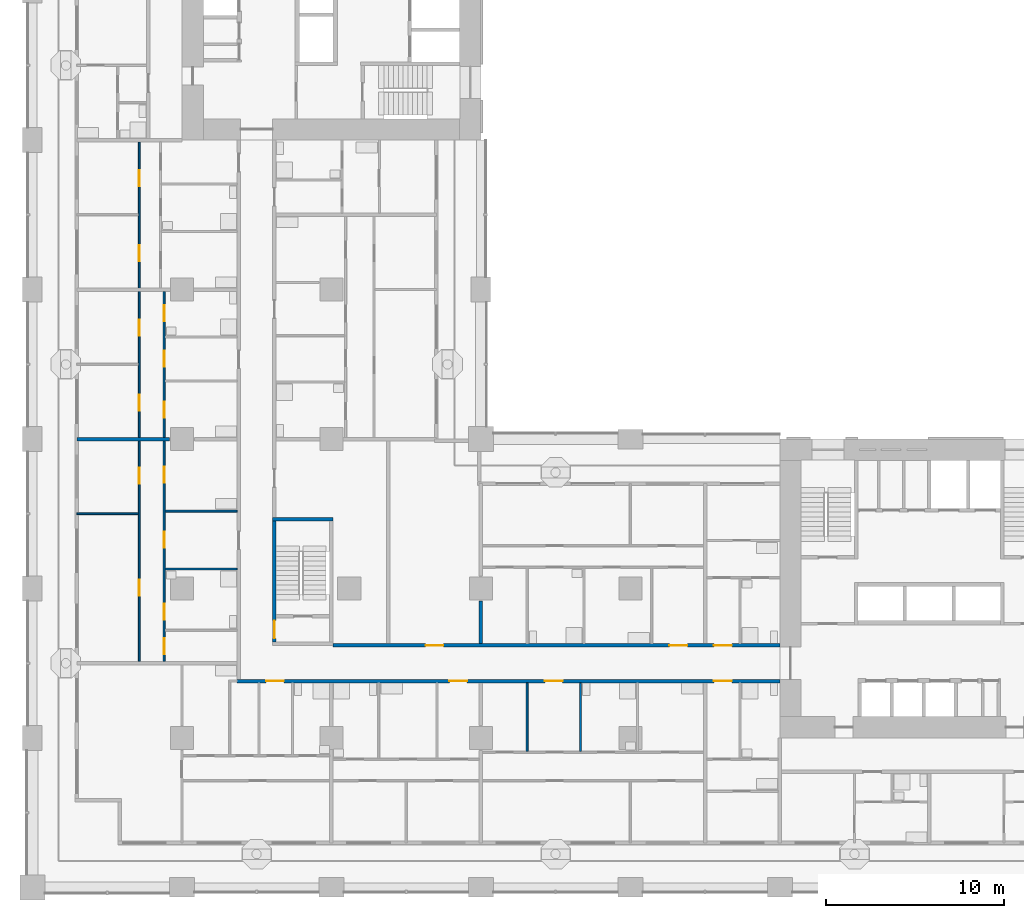
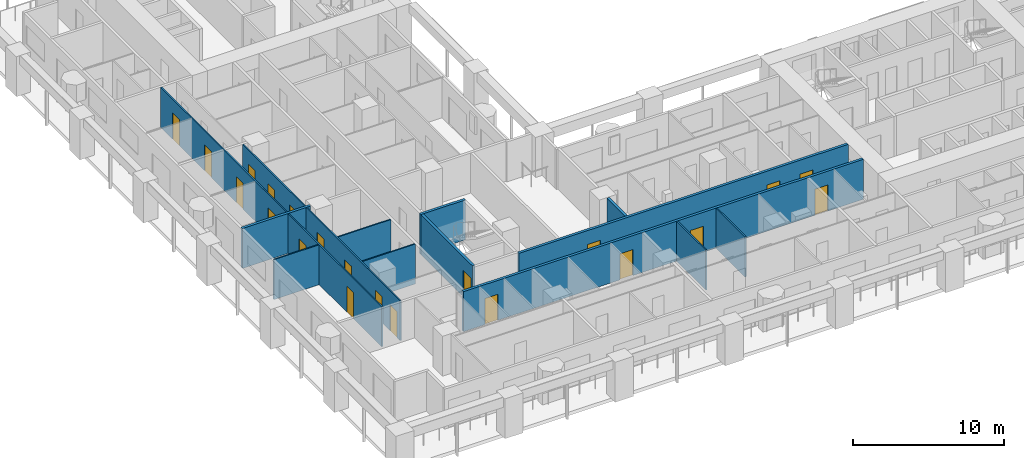
# One storey, part 3 of 22: 21 doors, 13 walls, 21 openings.
"""IFC4 building model written with IfcOpenShell, lengths in metres."""

from ifc_helpers import new_model, si_unit, direction, frame, frame_2d, origin, place, context, subcontext, project, spatial, rectangle, extrude, material, layer, layer_set, type_object, element, fill, save


model = new_model("IFC4")

# Units and contexts
model_context = context("Model", 3, precision=1e-05, world=origin(), true_north=direction((0.0, 1.0)))
body_context = subcontext(model_context, "Body", "Model", "MODEL_VIEW")
ifc_project = project(units=[si_unit("LENGTHUNIT", "METRE"), si_unit("AREAUNIT", "SQUARE_METRE"), si_unit("VOLUMEUNIT", "CUBIC_METRE"), si_unit("PLANEANGLEUNIT", "RADIAN"), si_unit("MASSUNIT", "GRAM", prefix="KILO")], contexts=[model_context])

# Site, building, storey
site_placement = place(None, origin())
site = spatial("IfcSite", under=ifc_project, at=site_placement, CompositionType="ELEMENT")
building_placement = place(site_placement, origin())
building = spatial("IfcBuilding", under=site, at=building_placement, Name="Vermilion Gate Residences", CompositionType="ELEMENT")
storey_placement = place(building_placement, frame((0.0, 0.0, 56.699951171875)))
storey = spatial("IfcBuildingStorey", under=building, at=storey_placement, Name="L13", CompositionType="ELEMENT", Elevation=56.699951171875)

# Walls
ifc_material_1 = material(Name="Plasterboard on steel studs", Category="steel")
ifc_layer_1 = layer(ifc_material_1, 0.10009765625)
ifc_layer_set_1 = layer_set([ifc_layer_1], Name="PARTITION 100")
wall_type_1 = type_object("IfcWallType", Name="PARTITION 100", PredefinedType="PARTITIONING", material=ifc_layer_set_1)
wall_1_placement = place(storey_placement, frame((7.449951171875, 17.89990234375, 0.0), z_axis=(0.0, 0.0, 1.0), x_axis=(1.0, 0.0, 0.0)))
element("IfcWall", 1, at=wall_1_placement, inside=storey, type_object=wall_type_1, Name="Partition", PredefinedType="PARTITIONING", context=body_context, shape_type="SweptSolid", body=[
    extrude(rectangle(XDim=4.050048828125, YDim=0.10009765625, at=frame_2d((2.02490234375, 0.0))), origin(), (0.0, 0.0, 1.0), 3.219970703125),
])
wall_2_placement = place(storey_placement, frame((2.5, 21.0, 0.0), z_axis=(0.0, 0.0, 1.0), x_axis=(1.0, 0.0, 0.0)))
element("IfcWall", 2, at=wall_2_placement, inside=storey, type_object=wall_type_1, Name="Partition", PredefinedType="PARTITIONING", context=body_context, shape_type="SweptSolid", body=[
    extrude(rectangle(XDim=3.449951171875, YDim=0.10009765625, at=frame_2d((1.72509765625, 0.0))), origin(), (0.0, 0.0, 1.0), 3.219970703125),
])
wall_3_placement = place(storey_placement, frame((7.449951171875, 21.14990234375, 0.0), z_axis=(0.0, 0.0, 1.0), x_axis=(1.0, 0.0, 0.0)))
element("IfcWall", 3, at=wall_3_placement, inside=storey, type_object=wall_type_1, Name="Partition", PredefinedType="PARTITIONING", context=body_context, shape_type="SweptSolid", body=[
    extrude(rectangle(XDim=4.050048828125, YDim=0.10009765625, at=frame_2d((2.02490234375, 0.0))), origin(), (0.0, 0.0, 1.0), 3.219970703125),
])

# Wall, openings, doors
wall_4_placement = place(storey_placement, frame((6.0, 12.699951171875, 0.0), z_axis=(0.0, 0.0, 1.0), x_axis=(0.0, 1.0, 0.0)))
wall_4 = element("IfcWall", 4, at=wall_4_placement, inside=storey, type_object=wall_type_1, Name="Partition", PredefinedType="PARTITIONING", context=body_context, shape_type="SweptSolid", body=[
    extrude(rectangle(XDim=29.199951171875, YDim=0.10009765625, at=frame_2d((14.60009765625, 0.0))), origin(), (0.0, 0.0, 1.0), 3.219970703125),
])
opening_1_placement = place(wall_4_placement, frame((3.699951171875, 0.0, 0.0)))
opening_1 = element("IfcOpeningElement", 5, at=opening_1_placement, cuts=wall_4, Name="Opening DA13047", PredefinedType="OPENING", context=body_context, shape_type="SweptSolid", body=[
    extrude(rectangle(XDim=0.89990234375, YDim=2.10009765625, at=frame_2d((0.449951171875, 1.050048828125))), frame((0.0, 0.06005859375, 0.0), z_axis=(0.0, -1.0, 0.0), x_axis=(1.0, 0.0, 0.0)), (0.0, 0.0, 1.0), 0.1201171875),
])
opening_2_placement = place(wall_4_placement, frame((10.0, 0.0, 0.0)))
opening_2 = element("IfcOpeningElement", 6, at=opening_2_placement, cuts=wall_4, Name="Opening DA13048", PredefinedType="OPENING", context=body_context, shape_type="SweptSolid", body=[
    extrude(rectangle(XDim=0.89990234375, YDim=2.10009765625, at=frame_2d((0.449951171875, 1.050048828125))), frame((0.0, 0.06005859375, 0.0), z_axis=(0.0, -1.0, 0.0), x_axis=(1.0, 0.0, 0.0)), (0.0, 0.0, 1.0), 0.1201171875),
])
opening_3_placement = place(wall_4_placement, frame((14.10009765625, 0.0, 0.0)))
opening_3 = element("IfcOpeningElement", 7, at=opening_3_placement, cuts=wall_4, Name="Opening DA13049", PredefinedType="OPENING", context=body_context, shape_type="SweptSolid", body=[
    extrude(rectangle(XDim=0.89990234375, YDim=2.10009765625, at=frame_2d((0.449951171875, 1.050048828125))), frame((0.0, 0.06005859375, 0.0), z_axis=(0.0, -1.0, 0.0), x_axis=(1.0, 0.0, 0.0)), (0.0, 0.0, 1.0), 0.1201171875),
])
opening_4_placement = place(wall_4_placement, frame((18.300048828125, 0.0, 0.0)))
opening_4 = element("IfcOpeningElement", 8, at=opening_4_placement, cuts=wall_4, Name="Opening DA13050", PredefinedType="OPENING", context=body_context, shape_type="SweptSolid", body=[
    extrude(rectangle(XDim=0.89990234375, YDim=2.10009765625, at=frame_2d((0.449951171875, 1.050048828125))), frame((0.0, 0.06005859375, 0.0), z_axis=(0.0, -1.0, 0.0), x_axis=(1.0, 0.0, 0.0)), (0.0, 0.0, 1.0), 0.1201171875),
])
opening_5_placement = place(wall_4_placement, frame((22.5, 0.0, 0.0)))
opening_5 = element("IfcOpeningElement", 9, at=opening_5_placement, cuts=wall_4, Name="Opening DA13051", PredefinedType="OPENING", context=body_context, shape_type="SweptSolid", body=[
    extrude(rectangle(XDim=0.89990234375, YDim=2.10009765625, at=frame_2d((0.449951171875, 1.050048828125))), frame((0.0, 0.06005859375, 0.0), z_axis=(0.0, -1.0, 0.0), x_axis=(1.0, 0.0, 0.0)), (0.0, 0.0, 1.0), 0.1201171875),
])
opening_6_placement = place(wall_4_placement, frame((26.699951171875, 0.0, 0.0)))
opening_6 = element("IfcOpeningElement", 10, at=opening_6_placement, cuts=wall_4, Name="Opening DA13052", PredefinedType="OPENING", context=body_context, shape_type="SweptSolid", body=[
    extrude(rectangle(XDim=0.89990234375, YDim=2.10009765625, at=frame_2d((0.449951171875, 1.050048828125))), frame((0.0, 0.06005859375, 0.0), z_axis=(0.0, -1.0, 0.0), x_axis=(1.0, 0.0, 0.0)), (0.0, 0.0, 1.0), 0.1201171875),
])
ifc_material_2 = material(Name="Timber", Category="wood")
door_type_1 = type_object("IfcDoorType", Name="INTERIOR DOOR 900 X 2100", OperationType="SINGLE_SWING_LEFT", PredefinedType="DOOR", material=ifc_material_2)
door_1_placement = place(opening_1_placement, origin())
door_1 = element("IfcDoor", 11, at=door_1_placement, inside=storey, type_object=door_type_1, Name="Interior door", OperationType="SINGLE_SWING_LEFT", OverallHeight=2.10009765625, OverallWidth=0.89990234375, PredefinedType="DOOR", context=body_context, shape_type="SweptSolid", body=[
    extrude(rectangle(XDim=0.89990234375, YDim=2.10009765625, at=frame_2d((0.449951171875, 1.050048828125))), frame((0.0, 0.02490234375, 0.0), z_axis=(0.0, -1.0, 0.0), x_axis=(1.0, 0.0, 0.0)), (0.0, 0.0, 1.0), 0.050048828125),
])
fill(opening_1, door_1)
door_2_placement = place(opening_2_placement, origin())
door_2 = element("IfcDoor", 12, at=door_2_placement, inside=storey, type_object=door_type_1, Name="Interior door", OperationType="SINGLE_SWING_RIGHT", OverallHeight=2.10009765625, OverallWidth=0.89990234375, PredefinedType="DOOR", context=body_context, shape_type="SweptSolid", body=[
    extrude(rectangle(XDim=0.89990234375, YDim=2.10009765625, at=frame_2d((0.449951171875, 1.050048828125))), frame((0.0, 0.02490234375, 0.0), z_axis=(0.0, -1.0, 0.0), x_axis=(1.0, 0.0, 0.0)), (0.0, 0.0, 1.0), 0.050048828125),
])
fill(opening_2, door_2)
door_3_placement = place(opening_3_placement, origin())
door_3 = element("IfcDoor", 13, at=door_3_placement, inside=storey, type_object=door_type_1, Name="Interior door", OperationType="SINGLE_SWING_LEFT", OverallHeight=2.10009765625, OverallWidth=0.89990234375, PredefinedType="DOOR", context=body_context, shape_type="SweptSolid", body=[
    extrude(rectangle(XDim=0.89990234375, YDim=2.10009765625, at=frame_2d((0.449951171875, 1.050048828125))), frame((0.0, 0.02490234375, 0.0), z_axis=(0.0, -1.0, 0.0), x_axis=(1.0, 0.0, 0.0)), (0.0, 0.0, 1.0), 0.050048828125),
])
fill(opening_3, door_3)
door_4_placement = place(opening_4_placement, origin())
door_4 = element("IfcDoor", 14, at=door_4_placement, inside=storey, type_object=door_type_1, Name="Interior door", OperationType="SINGLE_SWING_LEFT", OverallHeight=2.10009765625, OverallWidth=0.89990234375, PredefinedType="DOOR", context=body_context, shape_type="SweptSolid", body=[
    extrude(rectangle(XDim=0.89990234375, YDim=2.10009765625, at=frame_2d((0.449951171875, 1.050048828125))), frame((0.0, 0.02490234375, 0.0), z_axis=(0.0, -1.0, 0.0), x_axis=(1.0, 0.0, 0.0)), (0.0, 0.0, 1.0), 0.050048828125),
])
fill(opening_4, door_4)
door_5_placement = place(opening_5_placement, origin())
door_5 = element("IfcDoor", 15, at=door_5_placement, inside=storey, type_object=door_type_1, Name="Interior door", OperationType="SINGLE_SWING_LEFT", OverallHeight=2.10009765625, OverallWidth=0.89990234375, PredefinedType="DOOR", context=body_context, shape_type="SweptSolid", body=[
    extrude(rectangle(XDim=0.89990234375, YDim=2.10009765625, at=frame_2d((0.449951171875, 1.050048828125))), frame((0.0, 0.02490234375, 0.0), z_axis=(0.0, -1.0, 0.0), x_axis=(1.0, 0.0, 0.0)), (0.0, 0.0, 1.0), 0.050048828125),
])
fill(opening_5, door_5)
door_6_placement = place(opening_6_placement, origin())
door_6 = element("IfcDoor", 16, at=door_6_placement, inside=storey, type_object=door_type_1, Name="Interior door", OperationType="SINGLE_SWING_LEFT", OverallHeight=2.10009765625, OverallWidth=0.89990234375, PredefinedType="DOOR", context=body_context, shape_type="SweptSolid", body=[
    extrude(rectangle(XDim=0.89990234375, YDim=2.10009765625, at=frame_2d((0.449951171875, 1.050048828125))), frame((0.0, 0.02490234375, 0.0), z_axis=(0.0, -1.0, 0.0), x_axis=(1.0, 0.0, 0.0)), (0.0, 0.0, 1.0), 0.050048828125),
])
fill(opening_6, door_6)

wall_5_placement = place(storey_placement, frame((7.39990234375, 12.699951171875, 0.0), z_axis=(0.0, 0.0, 1.0), x_axis=(0.0, 1.0, 0.0)))
wall_5 = element("IfcWall", 17, at=wall_5_placement, inside=storey, type_object=wall_type_1, Name="Partition", PredefinedType="PARTITIONING", context=body_context, shape_type="SweptSolid", body=[
    extrude(rectangle(XDim=20.800048828125, YDim=0.10009765625, at=frame_2d((10.39990234375, 0.0))), origin(), (0.0, 0.0, 1.0), 3.219970703125),
])
opening_7_placement = place(wall_5_placement, frame((6.39990234375, 0.0, 0.0)))
opening_7 = element("IfcOpeningElement", 18, at=opening_7_placement, cuts=wall_5, Name="Opening DA13058", PredefinedType="OPENING", context=body_context, shape_type="SweptSolid", body=[
    extrude(rectangle(XDim=0.89990234375, YDim=2.10009765625, at=frame_2d((0.449951171875, 1.050048828125))), frame((0.0, 0.06005859375, 0.0), z_axis=(0.0, -1.0, 0.0), x_axis=(1.0, 0.0, 0.0)), (0.0, 0.0, 1.0), 0.1201171875),
])
opening_8_placement = place(wall_5_placement, frame((0.39990234375, 0.0, 0.0)))
opening_8 = element("IfcOpeningElement", 19, at=opening_8_placement, cuts=wall_5, Name="Opening DA13059", PredefinedType="OPENING", context=body_context, shape_type="SweptSolid", body=[
    extrude(rectangle(XDim=0.89990234375, YDim=2.10009765625, at=frame_2d((0.449951171875, 1.050048828125))), frame((0.0, 0.06005859375, 0.0), z_axis=(0.0, -1.0, 0.0), x_axis=(1.0, 0.0, 0.0)), (0.0, 0.0, 1.0), 0.1201171875),
])
opening_9_placement = place(wall_5_placement, frame((2.35009765625, 0.0, 0.0)))
opening_9 = element("IfcOpeningElement", 20, at=opening_9_placement, cuts=wall_5, Name="Opening DA13060", PredefinedType="OPENING", context=body_context, shape_type="SweptSolid", body=[
    extrude(rectangle(XDim=0.89990234375, YDim=2.10009765625, at=frame_2d((0.449951171875, 1.050048828125))), frame((0.0, 0.06005859375, 0.0), z_axis=(0.0, -1.0, 0.0), x_axis=(1.0, 0.0, 0.0)), (0.0, 0.0, 1.0), 0.1201171875),
])
opening_10_placement = place(wall_5_placement, frame((10.050048828125, 0.0, 0.0)))
opening_10 = element("IfcOpeningElement", 21, at=opening_10_placement, cuts=wall_5, Name="Opening DA13061", PredefinedType="OPENING", context=body_context, shape_type="SweptSolid", body=[
    extrude(rectangle(XDim=0.89990234375, YDim=2.10009765625, at=frame_2d((0.449951171875, 1.050048828125))), frame((0.0, 0.06005859375, 0.0), z_axis=(0.0, -1.0, 0.0), x_axis=(1.0, 0.0, 0.0)), (0.0, 0.0, 1.0), 0.1201171875),
])
opening_11_placement = place(wall_5_placement, frame((16.56689453125, 0.0, 0.0)))
opening_11 = element("IfcOpeningElement", 22, at=opening_11_placement, cuts=wall_5, Name="Opening DA13062", PredefinedType="OPENING", context=body_context, shape_type="SweptSolid", body=[
    extrude(rectangle(XDim=0.89990234375, YDim=2.10009765625, at=frame_2d((0.449951171875, 1.050048828125))), frame((0.0, 0.06005859375, 0.0), z_axis=(0.0, -1.0, 0.0), x_axis=(1.0, 0.0, 0.0)), (0.0, 0.0, 1.0), 0.1201171875),
])
opening_12_placement = place(wall_5_placement, frame((13.699951171875, 0.0, 0.0)))
opening_12 = element("IfcOpeningElement", 23, at=opening_12_placement, cuts=wall_5, Name="Opening DA13063", PredefinedType="OPENING", context=body_context, shape_type="SweptSolid", body=[
    extrude(rectangle(XDim=0.89990234375, YDim=2.10009765625, at=frame_2d((0.449951171875, 1.050048828125))), frame((0.0, 0.06005859375, 0.0), z_axis=(0.0, -1.0, 0.0), x_axis=(1.0, 0.0, 0.0)), (0.0, 0.0, 1.0), 0.1201171875),
])
opening_13_placement = place(wall_5_placement, frame((19.133056640625, 0.0, 0.0)))
opening_13 = element("IfcOpeningElement", 24, at=opening_13_placement, cuts=wall_5, Name="Opening DA13064", PredefinedType="OPENING", context=body_context, shape_type="SweptSolid", body=[
    extrude(rectangle(XDim=0.89990234375, YDim=2.10009765625, at=frame_2d((0.449951171875, 1.050048828125))), frame((0.0, 0.06005859375, 0.0), z_axis=(0.0, -1.0, 0.0), x_axis=(1.0, 0.0, 0.0)), (0.0, 0.0, 1.0), 0.1201171875),
])
door_7_placement = place(opening_7_placement, frame((0.89990234375, 0.0, 0.0), z_axis=(0.0, 0.0, 1.0), x_axis=(-1.0, 0.0, 0.0)))
door_7 = element("IfcDoor", 25, at=door_7_placement, inside=storey, type_object=door_type_1, Name="Interior door", OperationType="SINGLE_SWING_LEFT", OverallHeight=2.10009765625, OverallWidth=0.89990234375, PredefinedType="DOOR", context=body_context, shape_type="SweptSolid", body=[
    extrude(rectangle(XDim=0.89990234375, YDim=2.10009765625, at=frame_2d((0.449951171875, 1.050048828125))), frame((0.0, 0.02490234375, 0.0), z_axis=(0.0, -1.0, 0.0), x_axis=(1.0, 0.0, 0.0)), (0.0, 0.0, 1.0), 0.050048828125),
])
fill(opening_7, door_7)
door_8_placement = place(opening_8_placement, frame((0.89990234375, 0.0, 0.0), z_axis=(0.0, 0.0, 1.0), x_axis=(-1.0, 0.0, 0.0)))
door_8 = element("IfcDoor", 26, at=door_8_placement, inside=storey, type_object=door_type_1, Name="Interior door", OperationType="SINGLE_SWING_LEFT", OverallHeight=2.10009765625, OverallWidth=0.89990234375, PredefinedType="DOOR", context=body_context, shape_type="SweptSolid", body=[
    extrude(rectangle(XDim=0.89990234375, YDim=2.10009765625, at=frame_2d((0.449951171875, 1.050048828125))), frame((0.0, 0.02490234375, 0.0), z_axis=(0.0, -1.0, 0.0), x_axis=(1.0, 0.0, 0.0)), (0.0, 0.0, 1.0), 0.050048828125),
])
fill(opening_8, door_8)
door_9_placement = place(opening_9_placement, frame((0.89990234375, 0.0, 0.0), z_axis=(0.0, 0.0, 1.0), x_axis=(-1.0, 0.0, 0.0)))
door_9 = element("IfcDoor", 27, at=door_9_placement, inside=storey, type_object=door_type_1, Name="Interior door", OperationType="SINGLE_SWING_RIGHT", OverallHeight=2.10009765625, OverallWidth=0.89990234375, PredefinedType="DOOR", context=body_context, shape_type="SweptSolid", body=[
    extrude(rectangle(XDim=0.89990234375, YDim=2.10009765625, at=frame_2d((0.449951171875, 1.050048828125))), frame((0.0, 0.02490234375, 0.0), z_axis=(0.0, -1.0, 0.0), x_axis=(1.0, 0.0, 0.0)), (0.0, 0.0, 1.0), 0.050048828125),
])
fill(opening_9, door_9)
door_10_placement = place(opening_10_placement, frame((0.89990234375, 0.0, 0.0), z_axis=(0.0, 0.0, 1.0), x_axis=(-1.0, 0.0, 0.0)))
door_10 = element("IfcDoor", 28, at=door_10_placement, inside=storey, type_object=door_type_1, Name="Interior door", OperationType="SINGLE_SWING_LEFT", OverallHeight=2.10009765625, OverallWidth=0.89990234375, PredefinedType="DOOR", context=body_context, shape_type="SweptSolid", body=[
    extrude(rectangle(XDim=0.89990234375, YDim=2.10009765625, at=frame_2d((0.449951171875, 1.050048828125))), frame((0.0, 0.02490234375, 0.0), z_axis=(0.0, -1.0, 0.0), x_axis=(1.0, 0.0, 0.0)), (0.0, 0.0, 1.0), 0.050048828125),
])
fill(opening_10, door_10)
door_11_placement = place(opening_11_placement, frame((0.89990234375, 0.0, 0.0), z_axis=(0.0, 0.0, 1.0), x_axis=(-1.0, 0.0, 0.0)))
door_11 = element("IfcDoor", 29, at=door_11_placement, inside=storey, type_object=door_type_1, Name="Interior door", OperationType="SINGLE_SWING_LEFT", OverallHeight=2.10009765625, OverallWidth=0.89990234375, PredefinedType="DOOR", context=body_context, shape_type="SweptSolid", body=[
    extrude(rectangle(XDim=0.89990234375, YDim=2.10009765625, at=frame_2d((0.449951171875, 1.050048828125))), frame((0.0, 0.02490234375, 0.0), z_axis=(0.0, -1.0, 0.0), x_axis=(1.0, 0.0, 0.0)), (0.0, 0.0, 1.0), 0.050048828125),
])
fill(opening_11, door_11)
door_12_placement = place(opening_12_placement, frame((0.89990234375, 0.0, 0.0), z_axis=(0.0, 0.0, 1.0), x_axis=(-1.0, 0.0, 0.0)))
door_12 = element("IfcDoor", 30, at=door_12_placement, inside=storey, type_object=door_type_1, Name="Interior door", OperationType="SINGLE_SWING_RIGHT", OverallHeight=2.10009765625, OverallWidth=0.89990234375, PredefinedType="DOOR", context=body_context, shape_type="SweptSolid", body=[
    extrude(rectangle(XDim=0.89990234375, YDim=2.10009765625, at=frame_2d((0.449951171875, 1.050048828125))), frame((0.0, 0.02490234375, 0.0), z_axis=(0.0, -1.0, 0.0), x_axis=(1.0, 0.0, 0.0)), (0.0, 0.0, 1.0), 0.050048828125),
])
fill(opening_12, door_12)
door_13_placement = place(opening_13_placement, frame((0.89990234375, 0.0, 0.0), z_axis=(0.0, 0.0, 1.0), x_axis=(-1.0, 0.0, 0.0)))
door_13 = element("IfcDoor", 31, at=door_13_placement, inside=storey, type_object=door_type_1, Name="Interior door", OperationType="SINGLE_SWING_RIGHT", OverallHeight=2.10009765625, OverallWidth=0.89990234375, PredefinedType="DOOR", context=body_context, shape_type="SweptSolid", body=[
    extrude(rectangle(XDim=0.89990234375, YDim=2.10009765625, at=frame_2d((0.449951171875, 1.050048828125))), frame((0.0, 0.02490234375, 0.0), z_axis=(0.0, -1.0, 0.0), x_axis=(1.0, 0.0, 0.0)), (0.0, 0.0, 1.0), 0.050048828125),
])
fill(opening_13, door_13)

# Walls
for number, where, z_axis, x_axis, name in (
    (32, (27.800048828125, 7.64990234375, 0.0), (0.0, 0.0, 1.0), (0.0, 1.0, 0.0), "Partition"),
    (33, (30.800048828125, 7.64990234375, 0.0), (0.0, 0.0, 1.0), (0.0, 1.0, 0.0), "Partition"),
):
    element("IfcWall", number, at=place(storey_placement, frame(where, z_axis=z_axis, x_axis=x_axis)), inside=storey, type_object=wall_type_1, Name=name, PredefinedType="PARTITIONING", context=body_context, shape_type="SweptSolid", body=[
        extrude(rectangle(XDim=3.85009765625, YDim=0.10009765625, at=frame_2d((1.925048828125, 0.0))), origin(), (0.0, 0.0, 1.0), 3.219970703125),
    ])

# Wall, openings, doors
ifc_material_3 = material(Name="Fire-rated plasterboard on steel studs", Category="steel")
ifc_layer_2 = layer(ifc_material_3, 0.199951171875)
ifc_layer_set_2 = layer_set([ifc_layer_2], Name="PARTY WALL 200 EI 120")
wall_type_2 = type_object("IfcWallType", Name="PARTY WALL 200 EI 120", PredefinedType="PARTITIONING", material=ifc_layer_set_2)
wall_6_placement = place(storey_placement, frame((11.5, 11.60009765625, 0.0), z_axis=(0.0, 0.0, 1.0), x_axis=(1.0, 0.0, 0.0)))
wall_6 = element("IfcWall", 34, at=wall_6_placement, inside=storey, type_object=wall_type_2, Name="Party and corridor wall", PredefinedType="PARTITIONING", context=body_context, shape_type="SweptSolid", body=[
    extrude(rectangle(XDim=30.5, YDim=0.199951171875, at=frame_2d((15.25, 0.0))), origin(), (0.0, 0.0, 1.0), 3.219970703125),
])
opening_14_placement = place(wall_6_placement, frame((1.6259765625, 0.0, 0.0)))
opening_14 = element("IfcOpeningElement", 35, at=opening_14_placement, cuts=wall_6, Name="Opening DA13027", PredefinedType="OPENING", context=body_context, shape_type="SweptSolid", body=[
    extrude(rectangle(XDim=1.0, YDim=2.10009765625, at=frame_2d((0.5, 1.050048828125))), frame((0.0, 0.10986328125, 0.0), z_axis=(0.0, -1.0, 0.0), x_axis=(1.0, 0.0, 0.0)), (0.0, 0.0, 1.0), 0.219970703125),
])
opening_15_placement = place(wall_6_placement, frame((11.93310546875, 0.0, 0.0)))
opening_15 = element("IfcOpeningElement", 36, at=opening_15_placement, cuts=wall_6, Name="Opening DA13028", PredefinedType="OPENING", context=body_context, shape_type="SweptSolid", body=[
    extrude(rectangle(XDim=1.0, YDim=2.10009765625, at=frame_2d((0.5, 1.050048828125))), frame((0.0, 0.10986328125, 0.0), z_axis=(0.0, -1.0, 0.0), x_axis=(1.0, 0.0, 0.0)), (0.0, 0.0, 1.0), 0.219970703125),
])
opening_16_placement = place(wall_6_placement, frame((17.300048828125, 0.0, 0.0)))
opening_16 = element("IfcOpeningElement", 37, at=opening_16_placement, cuts=wall_6, Name="Opening DA13029", PredefinedType="OPENING", context=body_context, shape_type="SweptSolid", body=[
    extrude(rectangle(XDim=1.0, YDim=2.10009765625, at=frame_2d((0.5, 1.050048828125))), frame((0.0, 0.10986328125, 0.0), z_axis=(0.0, -1.0, 0.0), x_axis=(1.0, 0.0, 0.0)), (0.0, 0.0, 1.0), 0.219970703125),
])
opening_17_placement = place(wall_6_placement, frame((26.800048828125, 0.0, 0.0)))
opening_17 = element("IfcOpeningElement", 38, at=opening_17_placement, cuts=wall_6, Name="Opening DA13030", PredefinedType="OPENING", context=body_context, shape_type="SweptSolid", body=[
    extrude(rectangle(XDim=1.0, YDim=2.10009765625, at=frame_2d((0.5, 1.050048828125))), frame((0.0, 0.10986328125, 0.0), z_axis=(0.0, -1.0, 0.0), x_axis=(1.0, 0.0, 0.0)), (0.0, 0.0, 1.0), 0.219970703125),
])
ifc_material_4 = material(Name="Steel", Category="steel")
door_type_2 = type_object("IfcDoorType", Name="ENTRANCE DOOR 1000 X 2100 FD30", OperationType="SINGLE_SWING_LEFT", PredefinedType="DOOR", material=ifc_material_4)
door_14_placement = place(opening_14_placement, frame((1.0, 0.0, 0.0), z_axis=(0.0, 0.0, 1.0), x_axis=(-1.0, 0.0, 0.0)))
door_14 = element("IfcDoor", 39, at=door_14_placement, inside=storey, type_object=door_type_2, Name="Entrance door", OperationType="SINGLE_SWING_RIGHT", OverallHeight=2.10009765625, OverallWidth=1.0, PredefinedType="DOOR", context=body_context, shape_type="SweptSolid", body=[
    extrude(rectangle(XDim=1.0, YDim=2.10009765625, at=frame_2d((0.5, 1.050048828125))), frame((0.0, 0.02490234375, 0.0), z_axis=(0.0, -1.0, 0.0), x_axis=(1.0, 0.0, 0.0)), (0.0, 0.0, 1.0), 0.050048828125),
])
fill(opening_14, door_14)
door_15_placement = place(opening_15_placement, frame((1.0, 0.0, 0.0), z_axis=(0.0, 0.0, 1.0), x_axis=(-1.0, 0.0, 0.0)))
door_15 = element("IfcDoor", 40, at=door_15_placement, inside=storey, type_object=door_type_2, Name="Entrance door", OperationType="SINGLE_SWING_RIGHT", OverallHeight=2.10009765625, OverallWidth=1.0, PredefinedType="DOOR", context=body_context, shape_type="SweptSolid", body=[
    extrude(rectangle(XDim=1.0, YDim=2.10009765625, at=frame_2d((0.5, 1.050048828125))), frame((0.0, 0.02490234375, 0.0), z_axis=(0.0, -1.0, 0.0), x_axis=(1.0, 0.0, 0.0)), (0.0, 0.0, 1.0), 0.050048828125),
])
fill(opening_15, door_15)
door_16_placement = place(opening_16_placement, frame((1.0, 0.0, 0.0), z_axis=(0.0, 0.0, 1.0), x_axis=(-1.0, 0.0, 0.0)))
door_16 = element("IfcDoor", 41, at=door_16_placement, inside=storey, type_object=door_type_2, Name="Entrance door", OperationType="SINGLE_SWING_LEFT", OverallHeight=2.10009765625, OverallWidth=1.0, PredefinedType="DOOR", context=body_context, shape_type="SweptSolid", body=[
    extrude(rectangle(XDim=1.0, YDim=2.10009765625, at=frame_2d((0.5, 1.050048828125))), frame((0.0, 0.02490234375, 0.0), z_axis=(0.0, -1.0, 0.0), x_axis=(1.0, 0.0, 0.0)), (0.0, 0.0, 1.0), 0.050048828125),
])
fill(opening_16, door_16)
door_17_placement = place(opening_17_placement, frame((1.0, 0.0, 0.0), z_axis=(0.0, 0.0, 1.0), x_axis=(-1.0, 0.0, 0.0)))
door_17 = element("IfcDoor", 42, at=door_17_placement, inside=storey, type_object=door_type_2, Name="Entrance door", OperationType="SINGLE_SWING_RIGHT", OverallHeight=2.10009765625, OverallWidth=1.0, PredefinedType="DOOR", context=body_context, shape_type="SweptSolid", body=[
    extrude(rectangle(XDim=1.0, YDim=2.10009765625, at=frame_2d((0.5, 1.050048828125))), frame((0.0, 0.02490234375, 0.0), z_axis=(0.0, -1.0, 0.0), x_axis=(1.0, 0.0, 0.0)), (0.0, 0.0, 1.0), 0.050048828125),
])
fill(opening_17, door_17)

wall_7_placement = place(storey_placement, frame((16.89990234375, 13.60009765625, 0.0), z_axis=(0.0, 0.0, 1.0), x_axis=(1.0, 0.0, 0.0)))
wall_7 = element("IfcWall", 43, at=wall_7_placement, inside=storey, type_object=wall_type_2, Name="Party and corridor wall", PredefinedType="PARTITIONING", context=body_context, shape_type="SweptSolid", body=[
    extrude(rectangle(XDim=25.10009765625, YDim=0.199951171875, at=frame_2d((12.550048828125, 0.0))), origin(), (0.0, 0.0, 1.0), 3.219970703125),
])
opening_18_placement = place(wall_7_placement, frame((18.89990234375, 0.0, 0.0)))
opening_18 = element("IfcOpeningElement", 44, at=opening_18_placement, cuts=wall_7, Name="Opening DA13032", PredefinedType="OPENING", context=body_context, shape_type="SweptSolid", body=[
    extrude(rectangle(XDim=1.0, YDim=2.10009765625, at=frame_2d((0.5, 1.050048828125))), frame((0.0, 0.10986328125, 0.0), z_axis=(0.0, -1.0, 0.0), x_axis=(1.0, 0.0, 0.0)), (0.0, 0.0, 1.0), 0.219970703125),
])
opening_19_placement = place(wall_7_placement, frame((21.39990234375, 0.0, 0.0)))
opening_19 = element("IfcOpeningElement", 45, at=opening_19_placement, cuts=wall_7, Name="Opening DA13033", PredefinedType="OPENING", context=body_context, shape_type="SweptSolid", body=[
    extrude(rectangle(XDim=1.0, YDim=2.10009765625, at=frame_2d((0.5, 1.050048828125))), frame((0.0, 0.10986328125, 0.0), z_axis=(0.0, -1.0, 0.0), x_axis=(1.0, 0.0, 0.0)), (0.0, 0.0, 1.0), 0.219970703125),
])
opening_20_placement = place(wall_7_placement, frame((5.199951171875, 0.0, 0.0)))
opening_20 = element("IfcOpeningElement", 46, at=opening_20_placement, cuts=wall_7, Name="Opening DA13034", PredefinedType="OPENING", context=body_context, shape_type="SweptSolid", body=[
    extrude(rectangle(XDim=1.0, YDim=2.10009765625, at=frame_2d((0.5, 1.050048828125))), frame((0.0, 0.10986328125, 0.0), z_axis=(0.0, -1.0, 0.0), x_axis=(1.0, 0.0, 0.0)), (0.0, 0.0, 1.0), 0.219970703125),
])
door_18_placement = place(opening_18_placement, origin())
door_18 = element("IfcDoor", 47, at=door_18_placement, inside=storey, type_object=door_type_2, Name="Entrance door", OperationType="SINGLE_SWING_RIGHT", OverallHeight=2.10009765625, OverallWidth=1.0, PredefinedType="DOOR", context=body_context, shape_type="SweptSolid", body=[
    extrude(rectangle(XDim=1.0, YDim=2.10009765625, at=frame_2d((0.5, 1.050048828125))), frame((0.0, 0.02490234375, 0.0), z_axis=(0.0, -1.0, 0.0), x_axis=(1.0, 0.0, 0.0)), (0.0, 0.0, 1.0), 0.050048828125),
])
fill(opening_18, door_18)
door_19_placement = place(opening_19_placement, origin())
door_19 = element("IfcDoor", 48, at=door_19_placement, inside=storey, type_object=door_type_2, Name="Entrance door", OperationType="SINGLE_SWING_LEFT", OverallHeight=2.10009765625, OverallWidth=1.0, PredefinedType="DOOR", context=body_context, shape_type="SweptSolid", body=[
    extrude(rectangle(XDim=1.0, YDim=2.10009765625, at=frame_2d((0.5, 1.050048828125))), frame((0.0, 0.02490234375, 0.0), z_axis=(0.0, -1.0, 0.0), x_axis=(1.0, 0.0, 0.0)), (0.0, 0.0, 1.0), 0.050048828125),
])
fill(opening_19, door_19)
door_20_placement = place(opening_20_placement, origin())
door_20 = element("IfcDoor", 49, at=door_20_placement, inside=storey, type_object=door_type_2, Name="Entrance door", OperationType="SINGLE_SWING_LEFT", OverallHeight=2.10009765625, OverallWidth=1.0, PredefinedType="DOOR", context=body_context, shape_type="SweptSolid", body=[
    extrude(rectangle(XDim=1.0, YDim=2.10009765625, at=frame_2d((0.5, 1.050048828125))), frame((0.0, 0.02490234375, 0.0), z_axis=(0.0, -1.0, 0.0), x_axis=(1.0, 0.0, 0.0)), (0.0, 0.0, 1.0), 0.050048828125),
])
fill(opening_20, door_20)

# Walls
wall_8_placement = place(storey_placement, frame((2.5, 25.199951171875, 0.0), z_axis=(0.0, 0.0, 1.0), x_axis=(1.0, 0.0, 0.0)))
element("IfcWall", 50, at=wall_8_placement, inside=storey, type_object=wall_type_2, Name="Party and corridor wall", PredefinedType="PARTITIONING", context=body_context, shape_type="SweptSolid", body=[
    extrude(rectangle(XDim=5.199951171875, YDim=0.199951171875, at=frame_2d((2.60009765625, 0.0))), origin(), (0.0, 0.0, 1.0), 3.219970703125),
])
wall_9_placement = place(storey_placement, frame((25.199951171875, 13.699951171875, 0.0), z_axis=(0.0, 0.0, 1.0), x_axis=(0.0, 1.0, 0.0)))
element("IfcWall", 51, at=wall_9_placement, inside=storey, type_object=wall_type_2, Name="Party and corridor wall", PredefinedType="PARTITIONING", context=body_context, shape_type="SweptSolid", body=[
    extrude(rectangle(XDim=2.400146484375, YDim=0.199951171875, at=frame_2d((1.2001953125, 0.0))), origin(), (0.0, 0.0, 1.0), 3.219970703125),
])

# Wall, opening, door
ifc_material_5 = material(Name="Concrete C60", Category="concrete")
ifc_layer_3 = layer(ifc_material_5, 0.199951171875)
ifc_layer_set_3 = layer_set([ifc_layer_3], Name="RC CORE INTERNAL WALL 200 C60")
wall_type_3 = type_object("IfcWallType", Name="RC CORE INTERNAL WALL 200 C60", PredefinedType="SHEAR", material=ifc_layer_set_3)
wall_10_placement = place(storey_placement, frame((13.60009765625, 13.800048828125, 0.0), z_axis=(0.0, 0.0, 1.0), x_axis=(0.0, 1.0, 0.0)))
wall_10 = element("IfcWall", 52, at=wall_10_placement, inside=storey, type_object=wall_type_3, Name="Core internal wall C13-W", PredefinedType="SHEAR", context=body_context, shape_type="SweptSolid", body=[
    extrude(rectangle(XDim=6.800048828125, YDim=0.199951171875, at=frame_2d((3.39990234375, 0.0))), origin(), (0.0, 0.0, 1.0), 3.219970703125),
])
opening_21_placement = place(wall_10_placement, frame((0.199951171875, 0.0, 0.0)))
opening_21 = element("IfcOpeningElement", 53, at=opening_21_placement, cuts=wall_10, Name="Opening DK13201", PredefinedType="OPENING", context=body_context, shape_type="SweptSolid", body=[
    extrude(rectangle(XDim=1.0, YDim=2.10009765625, at=frame_2d((0.5, 1.050048828125))), frame((0.0, 0.10986328125, 0.0), z_axis=(0.0, -1.0, 0.0), x_axis=(1.0, 0.0, 0.0)), (0.0, 0.0, 1.0), 0.219970703125),
])
ifc_material_6 = material(Name="Steel", Category="steel")
door_type_3 = type_object("IfcDoorType", Name="FIRE DOOR FD60 1000 X 2100", OperationType="SINGLE_SWING_LEFT", PredefinedType="DOOR", material=ifc_material_6)
door_21_placement = place(opening_21_placement, frame((1.0, 0.0, 0.0), z_axis=(0.0, 0.0, 1.0), x_axis=(-1.0, 0.0, 0.0)))
door_21 = element("IfcDoor", 54, at=door_21_placement, inside=storey, type_object=door_type_3, Name="Stair vestibule door C13", OperationType="SINGLE_SWING_LEFT", OverallHeight=2.10009765625, OverallWidth=1.0, PredefinedType="DOOR", context=body_context, shape_type="SweptSolid", body=[
    extrude(rectangle(XDim=1.0, YDim=2.10009765625, at=frame_2d((0.5, 1.050048828125))), frame((0.0, 0.02490234375, 0.0), z_axis=(0.0, -1.0, 0.0), x_axis=(1.0, 0.0, 0.0)), (0.0, 0.0, 1.0), 0.050048828125),
])
fill(opening_21, door_21)

# Wall
wall_11_placement = place(storey_placement, frame((13.5, 20.699951171875, 0.0), z_axis=(0.0, 0.0, 1.0), x_axis=(1.0, 0.0, 0.0)))
element("IfcWall", 55, at=wall_11_placement, inside=storey, type_object=wall_type_3, Name="Core internal wall C13-N", PredefinedType="SHEAR", context=body_context, shape_type="SweptSolid", body=[
    extrude(rectangle(XDim=3.39990234375, YDim=0.199951171875, at=frame_2d((1.699951171875, 0.0))), origin(), (0.0, 0.0, 1.0), 3.219970703125),
])

save(model, "model.ifc")
